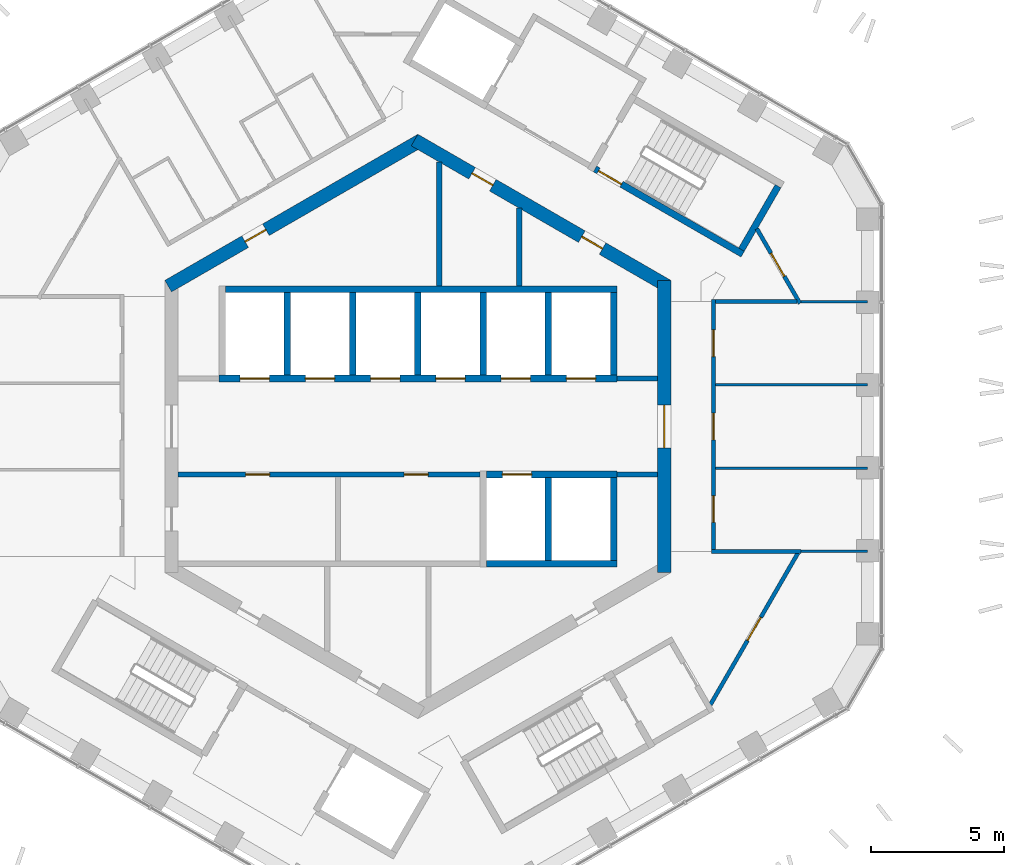
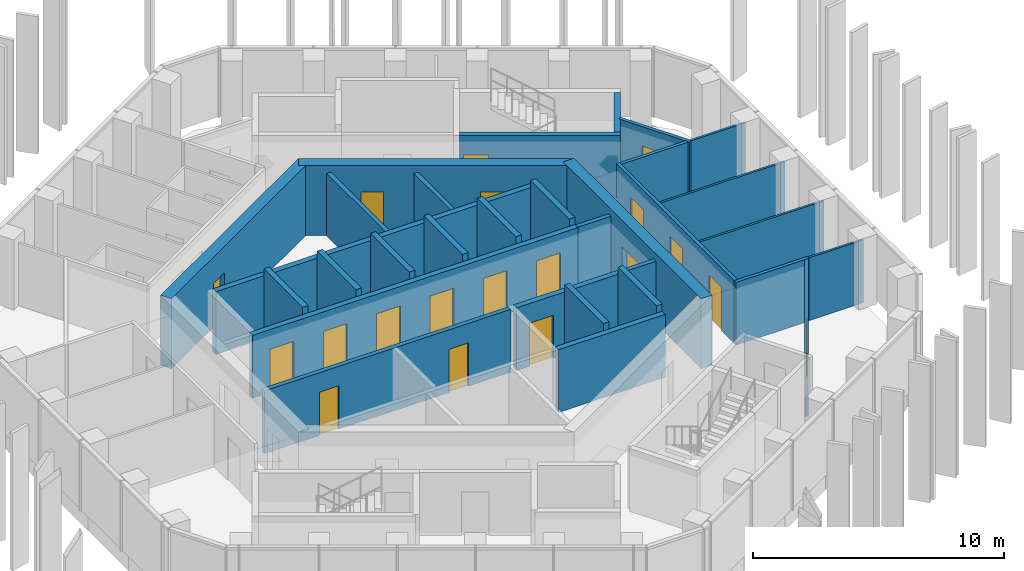
# One storey, part 13 of 18: 31 walls, 19 doors, 19 openings.
"""IFC4 building model written with IfcOpenShell, lengths in metres."""

from ifc_helpers import new_model, si_unit, direction, frame, frame_2d, origin, place, context, subcontext, project, spatial, rectangle, extrude, material, layer, layer_set, type_object, element, fill, save


model = new_model("IFC4")

# Units and contexts
model_context = context("Model", 3, precision=1e-05, world=origin(), true_north=direction((0.0, 1.0)))
body_context = subcontext(model_context, "Body", "Model", "MODEL_VIEW")
ifc_project = project(units=[si_unit("LENGTHUNIT", "METRE"), si_unit("AREAUNIT", "SQUARE_METRE"), si_unit("VOLUMEUNIT", "CUBIC_METRE"), si_unit("PLANEANGLEUNIT", "RADIAN"), si_unit("MASSUNIT", "GRAM", prefix="KILO")], contexts=[model_context])

# Site, building, storey
site_placement = place(None, origin())
site = spatial("IfcSite", under=ifc_project, at=site_placement, CompositionType="ELEMENT")
building_placement = place(site_placement, origin())
building = spatial("IfcBuilding", under=site, at=building_placement, Name="Ayvan Gate Tower", CompositionType="ELEMENT")
storey_placement = place(building_placement, frame((0.0, 0.0, 229.10009765625)))
storey = spatial("IfcBuildingStorey", under=building, at=storey_placement, Name="L61", CompositionType="ELEMENT", Elevation=229.10009765625)

# Wall, opening, door
ifc_material_1 = material(Name="Concrete C60/75", Category="concrete")
ifc_layer_1 = layer(ifc_material_1, 0.5)
ifc_layer_set_1 = layer_set([ifc_layer_1], Name="Concrete C60/75")
wall_type_1 = type_object("IfcWallType", Name="Core wall 500 C60/75", PredefinedType="SHEAR", material=ifc_layer_set_1)
wall_1_placement = place(storey_placement, frame((9.25, -5.48486328125, 0.0), z_axis=(0.0, 0.0, 1.0), x_axis=(0.0, 1.0, 0.0)))
wall_1 = element("IfcWall", 1, at=wall_1_placement, inside=storey, type_object=wall_type_1, Name="CORE-L61-0", PredefinedType="SHEAR", context=body_context, shape_type="SweptSolid", body=[
    extrude(rectangle(XDim=10.9697265625, YDim=0.5, at=frame_2d((5.48486328125, 0.0))), origin(), (0.0, 0.0, 1.0), 3.39990234375),
])
opening_1_placement = place(wall_1_placement, frame((4.684814453125, 0.0, 0.0)))
opening_1 = element("IfcOpeningElement", 2, at=opening_1_placement, cuts=wall_1, Name="Opening L61-D44", PredefinedType="OPENING", context=body_context, shape_type="SweptSolid", body=[
    extrude(rectangle(XDim=1.60009765625, YDim=2.10009765625, at=frame_2d((0.800048828125, 1.050048828125))), frame((0.0, 0.260009765625, 0.0), z_axis=(0.0, -1.0, 0.0), x_axis=(1.0, 0.0, 0.0)), (0.0, 0.0, 1.0), 0.52001953125),
])
ifc_material_2 = material(Name="Timber door leaf", Category="wood")
door_type_1 = type_object("IfcDoorType", Name="DT-1600", OperationType="NOTDEFINED", PredefinedType="DOOR", material=ifc_material_2)
door_1_placement = place(opening_1_placement, origin())
door_1 = element("IfcDoor", 3, at=door_1_placement, inside=storey, type_object=door_type_1, Name="CD-L61-44", OperationType="SINGLE_SWING_LEFT", OverallHeight=2.10009765625, OverallWidth=1.60009765625, PredefinedType="DOOR", context=body_context, shape_type="SweptSolid", body=[
    extrude(rectangle(XDim=1.60009765625, YDim=2.10009765625, at=frame_2d((0.800048828125, 1.050048828125))), frame((0.0, 0.02490234375, 0.0), z_axis=(0.0, -1.0, 0.0), x_axis=(1.0, 0.0, 0.0)), (0.0, 0.0, 1.0), 0.050048828125),
])
fill(opening_1, door_1)

# Wall, openings, doors
wall_2_placement = place(storey_placement, frame((9.375, 5.268310546875, 0.0), z_axis=(0.0, 0.0, 1.0), x_axis=(-0.866023993627, 0.500002442456, 0.0)))
wall_2 = element("IfcWall", 4, at=wall_2_placement, inside=storey, type_object=wall_type_1, Name="CORE-L61-1", PredefinedType="SHEAR", context=body_context, shape_type="SweptSolid", body=[
    extrude(rectangle(XDim=10.9697265625, YDim=0.5, at=frame_2d((5.48486328125, 0.0))), origin(), (0.0, 0.0, 1.0), 3.39990234375),
])
opening_2_placement = place(wall_2_placement, frame((7.57568359375, 0.0, 0.0)))
opening_2 = element("IfcOpeningElement", 5, at=opening_2_placement, cuts=wall_2, Name="Opening L61-D38", PredefinedType="OPENING", context=body_context, shape_type="SweptSolid", body=[
    extrude(rectangle(XDim=0.89990234375, YDim=2.10009765625, at=frame_2d((0.449951171875, 1.050048828125))), frame((0.0, 0.260009765625, 0.0), z_axis=(0.0, -1.0, 0.0), x_axis=(1.0, 0.0, 0.0)), (0.0, 0.0, 1.0), 0.52001953125),
])
opening_3_placement = place(wall_2_placement, frame((2.818359375, 0.0, 0.0)))
opening_3 = element("IfcOpeningElement", 6, at=opening_3_placement, cuts=wall_2, Name="Opening L61-D39", PredefinedType="OPENING", context=body_context, shape_type="SweptSolid", body=[
    extrude(rectangle(XDim=0.89990234375, YDim=2.10009765625, at=frame_2d((0.449951171875, 1.050048828125))), frame((0.0, 0.260009765625, 0.0), z_axis=(0.0, -1.0, 0.0), x_axis=(1.0, 0.0, 0.0)), (0.0, 0.0, 1.0), 0.52001953125),
])
door_type_2 = type_object("IfcDoorType", Name="DT-900", OperationType="NOTDEFINED", PredefinedType="DOOR", material=ifc_material_2)
door_2_placement = place(opening_2_placement, origin())
door_2 = element("IfcDoor", 7, at=door_2_placement, inside=storey, type_object=door_type_2, Name="CD-L61-38", OperationType="SINGLE_SWING_LEFT", OverallHeight=2.10009765625, OverallWidth=0.89990234375, PredefinedType="DOOR", context=body_context, shape_type="SweptSolid", body=[
    extrude(rectangle(XDim=0.89990234375, YDim=2.10009765625, at=frame_2d((0.449951171875, 1.050048828125))), frame((0.0, 0.02490234375, 0.0), z_axis=(0.0, -1.0, 0.0), x_axis=(1.0, 0.0, 0.0)), (0.0, 0.0, 1.0), 0.050048828125),
])
fill(opening_2, door_2)
door_3_placement = place(opening_3_placement, origin())
door_3 = element("IfcDoor", 8, at=door_3_placement, inside=storey, type_object=door_type_2, Name="CD-L61-39", OperationType="SINGLE_SWING_RIGHT", OverallHeight=2.10009765625, OverallWidth=0.89990234375, PredefinedType="DOOR", context=body_context, shape_type="SweptSolid", body=[
    extrude(rectangle(XDim=0.89990234375, YDim=2.10009765625, at=frame_2d((0.449951171875, 1.050048828125))), frame((0.0, 0.02490234375, 0.0), z_axis=(0.0, -1.0, 0.0), x_axis=(1.0, 0.0, 0.0)), (0.0, 0.0, 1.0), 0.050048828125),
])
fill(opening_3, door_3)

# Wall, opening, door
wall_3_placement = place(storey_placement, frame((0.125, 10.753173828125, 0.0), z_axis=(0.0, 0.0, 1.0), x_axis=(-0.866023993627, -0.500002442456, 0.0)))
wall_3 = element("IfcWall", 9, at=wall_3_placement, inside=storey, type_object=wall_type_1, Name="CORE-L61-2", PredefinedType="SHEAR", context=body_context, shape_type="SweptSolid", body=[
    extrude(rectangle(XDim=10.9697265625, YDim=0.5, at=frame_2d((5.48486328125, 0.0))), origin(), (0.0, 0.0, 1.0), 3.39990234375),
])
opening_4_placement = place(wall_3_placement, frame((6.7333984375, 0.0, 0.0)))
opening_4 = element("IfcOpeningElement", 10, at=opening_4_placement, cuts=wall_3, Name="Opening L61-D37", PredefinedType="OPENING", context=body_context, shape_type="SweptSolid", body=[
    extrude(rectangle(XDim=0.89990234375, YDim=2.10009765625, at=frame_2d((0.449951171875, 1.050048828125))), frame((0.0, 0.260009765625, 0.0), z_axis=(0.0, -1.0, 0.0), x_axis=(1.0, 0.0, 0.0)), (0.0, 0.0, 1.0), 0.52001953125),
])
door_4_placement = place(opening_4_placement, origin())
door_4 = element("IfcDoor", 11, at=door_4_placement, inside=storey, type_object=door_type_2, Name="CD-L61-37", OperationType="SINGLE_SWING_RIGHT", OverallHeight=2.10009765625, OverallWidth=0.89990234375, PredefinedType="DOOR", context=body_context, shape_type="SweptSolid", body=[
    extrude(rectangle(XDim=0.89990234375, YDim=2.10009765625, at=frame_2d((0.449951171875, 1.050048828125))), frame((0.0, 0.02490234375, 0.0), z_axis=(0.0, -1.0, 0.0), x_axis=(1.0, 0.0, 0.0)), (0.0, 0.0, 1.0), 0.050048828125),
])
fill(opening_4, door_4)

# Wall
ifc_material_3 = material(Name="Plasterboard on steel stud", Category="steel")
ifc_layer_2 = layer(ifc_material_3, 0.14990234375)
ifc_layer_set_2 = layer_set([ifc_layer_2], Name="Plasterboard on steel stud")
wall_type_2 = type_object("IfcWallType", Name="WT-CORR-150", PredefinedType="PARTITIONING", material=ifc_layer_set_2)
wall_4_placement = place(storey_placement, frame((11.02490234375, -4.6875, 0.0), z_axis=(0.0, 0.0, 1.0), x_axis=(1.0, 0.0, 0.0)))
element("IfcWall", 12, at=wall_4_placement, inside=storey, type_object=wall_type_2, Name="IW-L61-073", PredefinedType="PARTITIONING", context=body_context, shape_type="SweptSolid", body=[
    extrude(rectangle(XDim=3.356201171875, YDim=0.14990234375, at=frame_2d((1.67822265625, 0.0))), origin(), (0.0, 0.0, 1.0), 3.0498046875),
])

# Wall, openings, doors
wall_5_placement = place(storey_placement, frame((11.10009765625, -4.6123046875, 0.0), z_axis=(0.0, 0.0, 1.0), x_axis=(0.0, 1.0, 0.0)))
wall_5 = element("IfcWall", 13, at=wall_5_placement, inside=storey, type_object=wall_type_2, Name="IW-L61-075", PredefinedType="PARTITIONING", context=body_context, shape_type="SweptSolid", body=[
    extrude(rectangle(XDim=9.374755859375, YDim=0.14990234375, at=frame_2d((4.6875, 0.0))), origin(), (0.0, 0.0, 1.0), 3.0498046875),
])
opening_5_placement = place(wall_5_placement, frame((1.010009765625, 0.0, 0.0)))
opening_5 = element("IfcOpeningElement", 14, at=opening_5_placement, cuts=wall_5, Name="Opening L61-D21", PredefinedType="OPENING", context=body_context, shape_type="SweptSolid", body=[
    extrude(rectangle(XDim=1.0, YDim=2.10009765625, at=frame_2d((0.5, 1.050048828125))), frame((0.0, 0.0849609375, 0.0), z_axis=(0.0, -1.0, 0.0), x_axis=(1.0, 0.0, 0.0)), (0.0, 0.0, 1.0), 0.169921875),
])
opening_6_placement = place(wall_5_placement, frame((4.1123046875, 0.0, 0.0)))
opening_6 = element("IfcOpeningElement", 15, at=opening_6_placement, cuts=wall_5, Name="Opening L61-D22", PredefinedType="OPENING", context=body_context, shape_type="SweptSolid", body=[
    extrude(rectangle(XDim=1.0, YDim=2.10009765625, at=frame_2d((0.5, 1.050048828125))), frame((0.0, 0.0849609375, 0.0), z_axis=(0.0, -1.0, 0.0), x_axis=(1.0, 0.0, 0.0)), (0.0, 0.0, 1.0), 0.169921875),
])
opening_7_placement = place(wall_5_placement, frame((7.2373046875, 0.0, 0.0)))
opening_7 = element("IfcOpeningElement", 16, at=opening_7_placement, cuts=wall_5, Name="Opening L61-D23", PredefinedType="OPENING", context=body_context, shape_type="SweptSolid", body=[
    extrude(rectangle(XDim=1.0, YDim=2.10009765625, at=frame_2d((0.5, 1.050048828125))), frame((0.0, 0.0849609375, 0.0), z_axis=(0.0, -1.0, 0.0), x_axis=(1.0, 0.0, 0.0)), (0.0, 0.0, 1.0), 0.169921875),
])
door_type_3 = type_object("IfcDoorType", Name="DT-1000", OperationType="NOTDEFINED", PredefinedType="DOOR", material=ifc_material_2)
door_5_placement = place(opening_5_placement, origin())
door_5 = element("IfcDoor", 17, at=door_5_placement, inside=storey, type_object=door_type_3, Name="ID-L61-021", OperationType="SINGLE_SWING_RIGHT", OverallHeight=2.10009765625, OverallWidth=1.0, PredefinedType="DOOR", context=body_context, shape_type="SweptSolid", body=[
    extrude(rectangle(XDim=1.0, YDim=2.10009765625, at=frame_2d((0.5, 1.050048828125))), frame((0.0, 0.02490234375, 0.0), z_axis=(0.0, -1.0, 0.0), x_axis=(1.0, 0.0, 0.0)), (0.0, 0.0, 1.0), 0.050048828125),
])
fill(opening_5, door_5)
door_6_placement = place(opening_6_placement, origin())
door_6 = element("IfcDoor", 18, at=door_6_placement, inside=storey, type_object=door_type_3, Name="ID-L61-022", OperationType="SINGLE_SWING_LEFT", OverallHeight=2.10009765625, OverallWidth=1.0, PredefinedType="DOOR", context=body_context, shape_type="SweptSolid", body=[
    extrude(rectangle(XDim=1.0, YDim=2.10009765625, at=frame_2d((0.5, 1.050048828125))), frame((0.0, 0.02490234375, 0.0), z_axis=(0.0, -1.0, 0.0), x_axis=(1.0, 0.0, 0.0)), (0.0, 0.0, 1.0), 0.050048828125),
])
fill(opening_6, door_6)
door_7_placement = place(opening_7_placement, origin())
door_7 = element("IfcDoor", 19, at=door_7_placement, inside=storey, type_object=door_type_3, Name="ID-L61-023", OperationType="SINGLE_SWING_RIGHT", OverallHeight=2.10009765625, OverallWidth=1.0, PredefinedType="DOOR", context=body_context, shape_type="SweptSolid", body=[
    extrude(rectangle(XDim=1.0, YDim=2.10009765625, at=frame_2d((0.5, 1.050048828125))), frame((0.0, 0.02490234375, 0.0), z_axis=(0.0, -1.0, 0.0), x_axis=(1.0, 0.0, 0.0)), (0.0, 0.0, 1.0), 0.050048828125),
])
fill(opening_7, door_7)

# Wall, opening, door
wall_6_placement = place(storey_placement, frame((12.7255859375, 7.4248046875, 0.0), z_axis=(0.0, 0.0, 1.0), x_axis=(0.50000982419, -0.866019731711, 0.0)))
wall_6 = element("IfcWall", 20, at=wall_6_placement, inside=storey, type_object=wall_type_2, Name="IW-L61-078", PredefinedType="PARTITIONING", context=body_context, shape_type="SweptSolid", body=[
    extrude(rectangle(XDim=3.23583984375, YDim=0.14990234375, at=frame_2d((1.617919921875, 0.0))), origin(), (0.0, 0.0, 1.0), 3.0498046875),
])
opening_8_placement = place(wall_6_placement, frame((1.06298828125, 0.0, 0.0)))
opening_8 = element("IfcOpeningElement", 21, at=opening_8_placement, cuts=wall_6, Name="Opening L61-D24", PredefinedType="OPENING", context=body_context, shape_type="SweptSolid", body=[
    extrude(rectangle(XDim=1.0, YDim=2.10009765625, at=frame_2d((0.5, 1.050048828125))), frame((0.0, 0.0849609375, 0.0), z_axis=(0.0, -1.0, 0.0), x_axis=(1.0, 0.0, 0.0)), (0.0, 0.0, 1.0), 0.169921875),
])
door_8_placement = place(opening_8_placement, origin())
door_8 = element("IfcDoor", 22, at=door_8_placement, inside=storey, type_object=door_type_3, Name="ID-L61-024", OperationType="SINGLE_SWING_LEFT", OverallHeight=2.10009765625, OverallWidth=1.0, PredefinedType="DOOR", context=body_context, shape_type="SweptSolid", body=[
    extrude(rectangle(XDim=1.0, YDim=2.10009765625, at=frame_2d((0.5, 1.050048828125))), frame((0.0, 0.02490234375, 0.0), z_axis=(0.0, -1.0, 0.0), x_axis=(1.0, 0.0, 0.0)), (0.0, 0.0, 1.0), 0.050048828125),
])
fill(opening_8, door_8)

# Wall
wall_7_placement = place(storey_placement, frame((14.23095703125, 4.6875, 0.0), z_axis=(0.0, 0.0, 1.0), x_axis=(-1.0, 0.0, 0.0)))
element("IfcWall", 23, at=wall_7_placement, inside=storey, type_object=wall_type_2, Name="IW-L61-080", PredefinedType="PARTITIONING", context=body_context, shape_type="SweptSolid", body=[
    extrude(rectangle(XDim=3.05615234375, YDim=0.14990234375, at=frame_2d((1.528076171875, 0.0))), origin(), (0.0, 0.0, 1.0), 3.0498046875),
])

# Wall, opening, door
wall_8_placement = place(storey_placement, frame((14.2685546875, -4.75244140625, 0.0), z_axis=(0.0, 0.0, 1.0), x_axis=(-0.50001280117, -0.866018012899, 0.0)))
wall_8 = element("IfcWall", 24, at=wall_8_placement, inside=storey, type_object=wall_type_2, Name="IW-L61-082", PredefinedType="PARTITIONING", context=body_context, shape_type="SweptSolid", body=[
    extrude(rectangle(XDim=6.574951171875, YDim=0.14990234375, at=frame_2d((3.28759765625, 0.0))), origin(), (0.0, 0.0, 1.0), 3.0498046875),
])
opening_9_placement = place(wall_8_placement, frame((2.78759765625, 0.0, 0.0)))
opening_9 = element("IfcOpeningElement", 25, at=opening_9_placement, cuts=wall_8, Name="Opening L61-D30", PredefinedType="OPENING", context=body_context, shape_type="SweptSolid", body=[
    extrude(rectangle(XDim=1.0, YDim=2.10009765625, at=frame_2d((0.5, 1.050048828125))), frame((0.0, 0.0849609375, 0.0), z_axis=(0.0, -1.0, 0.0), x_axis=(1.0, 0.0, 0.0)), (0.0, 0.0, 1.0), 0.169921875),
])
door_9_placement = place(opening_9_placement, origin())
door_9 = element("IfcDoor", 26, at=door_9_placement, inside=storey, type_object=door_type_3, Name="ID-L61-030", OperationType="SINGLE_SWING_LEFT", OverallHeight=2.10009765625, OverallWidth=1.0, PredefinedType="DOOR", context=body_context, shape_type="SweptSolid", body=[
    extrude(rectangle(XDim=1.0, YDim=2.10009765625, at=frame_2d((0.5, 1.050048828125))), frame((0.0, 0.02490234375, 0.0), z_axis=(0.0, -1.0, 0.0), x_axis=(1.0, 0.0, 0.0)), (0.0, 0.0, 1.0), 0.050048828125),
])
fill(opening_9, door_9)

# Walls
ifc_layer_3 = layer(ifc_material_3, 0.10009765625)
ifc_layer_set_3 = layer_set([ifc_layer_3], Name="Plasterboard on steel stud")
wall_type_3 = type_object("IfcWallType", Name="WT-PART-100", PredefinedType="PARTITIONING", material=ifc_layer_set_3)
for number, where, z_axis, x_axis, name in (
    (27, (11.175048828125, -1.5625, 0.0), (0.0, 0.0, 1.0), (1.0, 0.0, 0.0), "IW-L61-074"),
    (28, (11.175048828125, 1.5625, 0.0), (0.0, 0.0, 1.0), (1.0, 0.0, 0.0), "IW-L61-076"),
):
    element("IfcWall", number, at=place(storey_placement, frame(where, z_axis=z_axis, x_axis=x_axis)), inside=storey, type_object=wall_type_3, Name=name, PredefinedType="PARTITIONING", context=body_context, shape_type="SweptSolid", body=[
        extrude(rectangle(XDim=5.71240234375, YDim=0.10009765625, at=frame_2d((2.856201171875, 0.0))), origin(), (0.0, 0.0, 1.0), 3.0498046875),
    ])
wall_9_placement = place(storey_placement, frame((14.381103515625, 4.6875, 0.0), z_axis=(0.0, 0.0, 1.0), x_axis=(1.0, 0.0, 0.0)))
element("IfcWall", 29, at=wall_9_placement, inside=storey, type_object=wall_type_3, Name="IW-L61-081", PredefinedType="PARTITIONING", context=body_context, shape_type="SweptSolid", body=[
    extrude(rectangle(XDim=2.50634765625, YDim=0.10009765625, at=frame_2d((1.253173828125, 0.0))), origin(), (0.0, 0.0, 1.0), 3.0498046875),
])
wall_10_placement = place(storey_placement, frame((16.887451171875, -4.6875, 0.0), z_axis=(0.0, 0.0, 1.0), x_axis=(-1.0, 0.0, 0.0)))
element("IfcWall", 30, at=wall_10_placement, inside=storey, type_object=wall_type_3, Name="IW-L61-083", PredefinedType="PARTITIONING", context=body_context, shape_type="SweptSolid", body=[
    extrude(rectangle(XDim=2.506591796875, YDim=0.10009765625, at=frame_2d((1.25341796875, 0.0))), origin(), (0.0, 0.0, 1.0), 3.0498046875),
])

# Wall, openings, doors
ifc_layer_4 = layer(ifc_material_3, 0.199951171875)
ifc_layer_set_4 = layer_set([ifc_layer_4], Name="Plasterboard on steel stud")
wall_type_4 = type_object("IfcWallType", Name="WT-RATED-200", PredefinedType="PARTITIONING", material=ifc_layer_set_4)
wall_11_placement = place(storey_placement, frame((-9.0, -1.800048828125, 0.0), z_axis=(0.0, 0.0, 1.0), x_axis=(1.0, 0.0, 0.0)))
wall_11 = element("IfcWall", 31, at=wall_11_placement, inside=storey, type_object=wall_type_4, Name="IW-L61-031", PredefinedType="PARTITIONING", context=body_context, shape_type="SweptSolid", body=[
    extrude(rectangle(XDim=11.3251953125, YDim=0.199951171875, at=frame_2d((5.66259765625, 0.0))), origin(), (0.0, 0.0, 1.0), 3.0498046875),
])
opening_10_placement = place(wall_11_placement, frame((2.534912109375, 0.0, 0.0)))
opening_10 = element("IfcOpeningElement", 32, at=opening_10_placement, cuts=wall_11, Name="Opening L61-D08", PredefinedType="OPENING", context=body_context, shape_type="SweptSolid", body=[
    extrude(rectangle(XDim=0.89990234375, YDim=2.10009765625, at=frame_2d((0.449951171875, 1.050048828125))), frame((0.0, 0.10986328125, 0.0), z_axis=(0.0, -1.0, 0.0), x_axis=(1.0, 0.0, 0.0)), (0.0, 0.0, 1.0), 0.219970703125),
])
opening_11_placement = place(wall_11_placement, frame((8.487548828125, 0.0, 0.0)))
opening_11 = element("IfcOpeningElement", 33, at=opening_11_placement, cuts=wall_11, Name="Opening L61-D09", PredefinedType="OPENING", context=body_context, shape_type="SweptSolid", body=[
    extrude(rectangle(XDim=0.89990234375, YDim=2.10009765625, at=frame_2d((0.449951171875, 1.050048828125))), frame((0.0, 0.10986328125, 0.0), z_axis=(0.0, -1.0, 0.0), x_axis=(1.0, 0.0, 0.0)), (0.0, 0.0, 1.0), 0.219970703125),
])
door_10_placement = place(opening_10_placement, origin())
door_10 = element("IfcDoor", 34, at=door_10_placement, inside=storey, type_object=door_type_2, Name="ID-L61-008", OperationType="SINGLE_SWING_LEFT", OverallHeight=2.10009765625, OverallWidth=0.89990234375, PredefinedType="DOOR", context=body_context, shape_type="SweptSolid", body=[
    extrude(rectangle(XDim=0.89990234375, YDim=2.10009765625, at=frame_2d((0.449951171875, 1.050048828125))), frame((0.0, 0.02490234375, 0.0), z_axis=(0.0, -1.0, 0.0), x_axis=(1.0, 0.0, 0.0)), (0.0, 0.0, 1.0), 0.050048828125),
])
fill(opening_10, door_10)
door_11_placement = place(opening_11_placement, origin())
door_11 = element("IfcDoor", 35, at=door_11_placement, inside=storey, type_object=door_type_2, Name="ID-L61-009", OperationType="SINGLE_SWING_RIGHT", OverallHeight=2.10009765625, OverallWidth=0.89990234375, PredefinedType="DOOR", context=body_context, shape_type="SweptSolid", body=[
    extrude(rectangle(XDim=0.89990234375, YDim=2.10009765625, at=frame_2d((0.449951171875, 1.050048828125))), frame((0.0, 0.02490234375, 0.0), z_axis=(0.0, -1.0, 0.0), x_axis=(1.0, 0.0, 0.0)), (0.0, 0.0, 1.0), 0.050048828125),
])
fill(opening_11, door_11)

# Walls
wall_12_placement = place(storey_placement, frame((0.800048828125, 9.930419921875, 0.0), z_axis=(0.0, 0.0, 1.0), x_axis=(0.0, -1.0, 0.0)))
element("IfcWall", 36, at=wall_12_placement, inside=storey, type_object=wall_type_4, Name="IW-L61-043", PredefinedType="PARTITIONING", context=body_context, shape_type="SweptSolid", body=[
    extrude(rectangle(XDim=4.655517578125, YDim=0.199951171875, at=frame_2d((2.32763671875, 0.0))), origin(), (0.0, 0.0, 1.0), 3.0498046875),
])
wall_13_placement = place(storey_placement, frame((3.800048828125, 8.198486328125, 0.0), z_axis=(0.0, 0.0, 1.0), x_axis=(0.0, -1.0, 0.0)))
element("IfcWall", 37, at=wall_13_placement, inside=storey, type_object=wall_type_4, Name="IW-L61-051", PredefinedType="PARTITIONING", context=body_context, shape_type="SweptSolid", body=[
    extrude(rectangle(XDim=2.923583984375, YDim=0.199951171875, at=frame_2d((1.4619140625, 0.0))), origin(), (0.0, 0.0, 1.0), 3.0498046875),
])
for number, where, z_axis, x_axis, name in (
    (38, (7.474853515625, 1.800048828125, 0.0), (0.0, 0.0, 1.0), (1.0, 0.0, 0.0), "IW-L61-063"),
    (39, (9.0, -1.800048828125, 0.0), (0.0, 0.0, 1.0), (-1.0, 0.0, 0.0), "IW-L61-070"),
):
    element("IfcWall", number, at=place(storey_placement, frame(where, z_axis=z_axis, x_axis=x_axis)), inside=storey, type_object=wall_type_4, Name=name, PredefinedType="PARTITIONING", context=body_context, shape_type="SweptSolid", body=[
        extrude(rectangle(XDim=1.525146484375, YDim=0.199951171875, at=frame_2d((0.7626953125, 0.0))), origin(), (0.0, 0.0, 1.0), 3.0498046875),
    ])

# Wall, openings, doors
ifc_material_4 = material(Name="Concrete C50/60", Category="concrete")
ifc_layer_5 = layer(ifc_material_4, 0.25)
ifc_layer_set_5 = layer_set([ifc_layer_5], Name="Concrete C50/60")
wall_type_5 = type_object("IfcWallType", Name="WT-RC-250", PredefinedType="SHEAR", material=ifc_layer_set_5)
wall_14_placement = place(storey_placement, frame((-7.47509765625, 1.800048828125, 0.0), z_axis=(0.0, 0.0, 1.0), x_axis=(1.0, 0.0, 0.0)))
wall_14 = element("IfcWall", 40, at=wall_14_placement, inside=storey, type_object=wall_type_5, Name="IW-L61-016", PredefinedType="SHEAR", context=body_context, shape_type="SweptSolid", body=[
    extrude(rectangle(XDim=14.9501953125, YDim=0.25, at=frame_2d((7.47509765625, 0.0))), origin(), (0.0, 0.0, 1.0), 3.0498046875),
])
opening_12_placement = place(wall_14_placement, frame((0.800048828125, 0.0, 0.0)))
opening_12 = element("IfcOpeningElement", 41, at=opening_12_placement, cuts=wall_14, Name="Opening L61-LD-HR1", PredefinedType="OPENING", context=body_context, shape_type="SweptSolid", body=[
    extrude(rectangle(XDim=1.10009765625, YDim=2.10009765625, at=frame_2d((0.550048828125, 1.050048828125))), frame((0.0, 0.135009765625, 0.0), z_axis=(0.0, -1.0, 0.0), x_axis=(1.0, 0.0, 0.0)), (0.0, 0.0, 1.0), 0.27001953125),
])
opening_13_placement = place(wall_14_placement, frame((3.25, 0.0, 0.0)))
opening_13 = element("IfcOpeningElement", 42, at=opening_13_placement, cuts=wall_14, Name="Opening L61-LD-HR2", PredefinedType="OPENING", context=body_context, shape_type="SweptSolid", body=[
    extrude(rectangle(XDim=1.10009765625, YDim=2.10009765625, at=frame_2d((0.550048828125, 1.050048828125))), frame((0.0, 0.135009765625, 0.0), z_axis=(0.0, -1.0, 0.0), x_axis=(1.0, 0.0, 0.0)), (0.0, 0.0, 1.0), 0.27001953125),
])
opening_14_placement = place(wall_14_placement, frame((5.7001953125, 0.0, 0.0)))
opening_14 = element("IfcOpeningElement", 43, at=opening_14_placement, cuts=wall_14, Name="Opening L61-LD-HR3", PredefinedType="OPENING", context=body_context, shape_type="SweptSolid", body=[
    extrude(rectangle(XDim=1.10009765625, YDim=2.10009765625, at=frame_2d((0.550048828125, 1.050048828125))), frame((0.0, 0.135009765625, 0.0), z_axis=(0.0, -1.0, 0.0), x_axis=(1.0, 0.0, 0.0)), (0.0, 0.0, 1.0), 0.27001953125),
])
opening_15_placement = place(wall_14_placement, frame((8.150146484375, 0.0, 0.0)))
opening_15 = element("IfcOpeningElement", 44, at=opening_15_placement, cuts=wall_14, Name="Opening L61-LD-HR4", PredefinedType="OPENING", context=body_context, shape_type="SweptSolid", body=[
    extrude(rectangle(XDim=1.10009765625, YDim=2.10009765625, at=frame_2d((0.550048828125, 1.050048828125))), frame((0.0, 0.135009765625, 0.0), z_axis=(0.0, -1.0, 0.0), x_axis=(1.0, 0.0, 0.0)), (0.0, 0.0, 1.0), 0.27001953125),
])
opening_16_placement = place(wall_14_placement, frame((10.60009765625, 0.0, 0.0)))
opening_16 = element("IfcOpeningElement", 45, at=opening_16_placement, cuts=wall_14, Name="Opening L61-LD-HR5", PredefinedType="OPENING", context=body_context, shape_type="SweptSolid", body=[
    extrude(rectangle(XDim=1.10009765625, YDim=2.10009765625, at=frame_2d((0.550048828125, 1.050048828125))), frame((0.0, 0.135009765625, 0.0), z_axis=(0.0, -1.0, 0.0), x_axis=(1.0, 0.0, 0.0)), (0.0, 0.0, 1.0), 0.27001953125),
])
opening_17_placement = place(wall_14_placement, frame((13.050048828125, 0.0, 0.0)))
opening_17 = element("IfcOpeningElement", 46, at=opening_17_placement, cuts=wall_14, Name="Opening L61-LD-HR6", PredefinedType="OPENING", context=body_context, shape_type="SweptSolid", body=[
    extrude(rectangle(XDim=1.10009765625, YDim=2.10009765625, at=frame_2d((0.550048828125, 1.050048828125))), frame((0.0, 0.135009765625, 0.0), z_axis=(0.0, -1.0, 0.0), x_axis=(1.0, 0.0, 0.0)), (0.0, 0.0, 1.0), 0.27001953125),
])
ifc_material_5 = material(Name="Stainless steel landing door", Category="steel")
door_type_4 = type_object("IfcDoorType", Name="DT-LANDING-1100", OperationType="SLIDING_TO_LEFT", PredefinedType="DOOR", material=ifc_material_5)
door_12_placement = place(opening_12_placement, origin())
door_12 = element("IfcDoor", 47, at=door_12_placement, inside=storey, type_object=door_type_4, Name="ID-L61-001", OperationType="SLIDING_TO_LEFT", OverallHeight=2.10009765625, OverallWidth=1.10009765625, PredefinedType="DOOR", context=body_context, shape_type="SweptSolid", body=[
    extrude(rectangle(XDim=1.10009765625, YDim=2.10009765625, at=frame_2d((0.550048828125, 1.050048828125))), frame((0.0, 0.02490234375, 0.0), z_axis=(0.0, -1.0, 0.0), x_axis=(1.0, 0.0, 0.0)), (0.0, 0.0, 1.0), 0.050048828125),
])
fill(opening_12, door_12)
door_13_placement = place(opening_13_placement, origin())
door_13 = element("IfcDoor", 48, at=door_13_placement, inside=storey, type_object=door_type_4, Name="ID-L61-002", OperationType="SLIDING_TO_LEFT", OverallHeight=2.10009765625, OverallWidth=1.10009765625, PredefinedType="DOOR", context=body_context, shape_type="SweptSolid", body=[
    extrude(rectangle(XDim=1.10009765625, YDim=2.10009765625, at=frame_2d((0.550048828125, 1.050048828125))), frame((0.0, 0.02490234375, 0.0), z_axis=(0.0, -1.0, 0.0), x_axis=(1.0, 0.0, 0.0)), (0.0, 0.0, 1.0), 0.050048828125),
])
fill(opening_13, door_13)
door_14_placement = place(opening_14_placement, origin())
door_14 = element("IfcDoor", 49, at=door_14_placement, inside=storey, type_object=door_type_4, Name="ID-L61-003", OperationType="SLIDING_TO_LEFT", OverallHeight=2.10009765625, OverallWidth=1.10009765625, PredefinedType="DOOR", context=body_context, shape_type="SweptSolid", body=[
    extrude(rectangle(XDim=1.10009765625, YDim=2.10009765625, at=frame_2d((0.550048828125, 1.050048828125))), frame((0.0, 0.02490234375, 0.0), z_axis=(0.0, -1.0, 0.0), x_axis=(1.0, 0.0, 0.0)), (0.0, 0.0, 1.0), 0.050048828125),
])
fill(opening_14, door_14)
door_15_placement = place(opening_15_placement, origin())
door_15 = element("IfcDoor", 50, at=door_15_placement, inside=storey, type_object=door_type_4, Name="ID-L61-004", OperationType="SLIDING_TO_LEFT", OverallHeight=2.10009765625, OverallWidth=1.10009765625, PredefinedType="DOOR", context=body_context, shape_type="SweptSolid", body=[
    extrude(rectangle(XDim=1.10009765625, YDim=2.10009765625, at=frame_2d((0.550048828125, 1.050048828125))), frame((0.0, 0.02490234375, 0.0), z_axis=(0.0, -1.0, 0.0), x_axis=(1.0, 0.0, 0.0)), (0.0, 0.0, 1.0), 0.050048828125),
])
fill(opening_15, door_15)
door_16_placement = place(opening_16_placement, origin())
door_16 = element("IfcDoor", 51, at=door_16_placement, inside=storey, type_object=door_type_4, Name="ID-L61-005", OperationType="SLIDING_TO_LEFT", OverallHeight=2.10009765625, OverallWidth=1.10009765625, PredefinedType="DOOR", context=body_context, shape_type="SweptSolid", body=[
    extrude(rectangle(XDim=1.10009765625, YDim=2.10009765625, at=frame_2d((0.550048828125, 1.050048828125))), frame((0.0, 0.02490234375, 0.0), z_axis=(0.0, -1.0, 0.0), x_axis=(1.0, 0.0, 0.0)), (0.0, 0.0, 1.0), 0.050048828125),
])
fill(opening_16, door_16)
door_17_placement = place(opening_17_placement, origin())
door_17 = element("IfcDoor", 52, at=door_17_placement, inside=storey, type_object=door_type_4, Name="ID-L61-006", OperationType="SLIDING_TO_LEFT", OverallHeight=2.10009765625, OverallWidth=1.10009765625, PredefinedType="DOOR", context=body_context, shape_type="SweptSolid", body=[
    extrude(rectangle(XDim=1.10009765625, YDim=2.10009765625, at=frame_2d((0.550048828125, 1.050048828125))), frame((0.0, 0.02490234375, 0.0), z_axis=(0.0, -1.0, 0.0), x_axis=(1.0, 0.0, 0.0)), (0.0, 0.0, 1.0), 0.050048828125),
])
fill(opening_17, door_17)

# Walls
wall_15_placement = place(storey_placement, frame((-7.22509765625, 5.14990234375, 0.0), z_axis=(0.0, 0.0, 1.0), x_axis=(1.0, 0.0, 0.0)))
element("IfcWall", 53, at=wall_15_placement, inside=storey, type_object=wall_type_5, Name="IW-L61-018", PredefinedType="SHEAR", context=body_context, shape_type="SweptSolid", body=[
    extrude(rectangle(XDim=14.7001953125, YDim=0.25, at=frame_2d((7.35009765625, 0.0))), origin(), (0.0, 0.0, 1.0), 3.0498046875),
])
for number, where, z_axis, x_axis, name in (
    (54, (-4.89990234375, 5.02490234375, 0.0), (0.0, 0.0, 1.0), (0.0, -1.0, 0.0), "IW-L61-024"),
    (55, (-2.449951171875, 5.02490234375, 0.0), (0.0, 0.0, 1.0), (0.0, -1.0, 0.0), "IW-L61-035"),
    (56, (0.0, 5.02490234375, 0.0), (0.0, 0.0, 1.0), (0.0, -1.0, 0.0), "IW-L61-040"),
    (57, (2.449951171875, 5.02490234375, 0.0), (0.0, 0.0, 1.0), (0.0, -1.0, 0.0), "IW-L61-047"),
):
    element("IfcWall", number, at=place(storey_placement, frame(where, z_axis=z_axis, x_axis=x_axis)), inside=storey, type_object=wall_type_5, Name=name, PredefinedType="SHEAR", context=body_context, shape_type="SweptSolid", body=[
        extrude(rectangle(XDim=3.099853515625, YDim=0.25, at=frame_2d((1.5498046875, 0.0))), origin(), (0.0, 0.0, 1.0), 3.39990234375),
    ])
wall_16_placement = place(storey_placement, frame((2.574951171875, -5.14990234375, 0.0), z_axis=(0.0, 0.0, 1.0), x_axis=(1.0, 0.0, 0.0)))
element("IfcWall", 58, at=wall_16_placement, inside=storey, type_object=wall_type_5, Name="IW-L61-054", PredefinedType="SHEAR", context=body_context, shape_type="SweptSolid", body=[
    extrude(rectangle(XDim=4.900146484375, YDim=0.25, at=frame_2d((2.4501953125, 0.0))), origin(), (0.0, 0.0, 1.0), 3.0498046875),
])
for number, where, z_axis, x_axis, name in (
    (59, (4.89990234375, -1.925048828125, 0.0), (0.0, 0.0, 1.0), (0.0, -1.0, 0.0), "IW-L61-055"),
    (60, (4.89990234375, 5.02490234375, 0.0), (0.0, 0.0, 1.0), (0.0, -1.0, 0.0), "IW-L61-056"),
):
    element("IfcWall", number, at=place(storey_placement, frame(where, z_axis=z_axis, x_axis=x_axis)), inside=storey, type_object=wall_type_5, Name=name, PredefinedType="SHEAR", context=body_context, shape_type="SweptSolid", body=[
        extrude(rectangle(XDim=3.099853515625, YDim=0.25, at=frame_2d((1.5498046875, 0.0))), origin(), (0.0, 0.0, 1.0), 3.39990234375),
    ])

# Wall, opening, door
wall_17_placement = place(storey_placement, frame((2.574951171875, -1.800048828125, 0.0), z_axis=(0.0, 0.0, 1.0), x_axis=(1.0, 0.0, 0.0)))
wall_17 = element("IfcWall", 61, at=wall_17_placement, inside=storey, type_object=wall_type_5, Name="IW-L61-057", PredefinedType="SHEAR", context=body_context, shape_type="SweptSolid", body=[
    extrude(rectangle(XDim=4.900146484375, YDim=0.25, at=frame_2d((2.4501953125, 0.0))), origin(), (0.0, 0.0, 1.0), 3.0498046875),
])
opening_18_placement = place(wall_17_placement, frame((0.597412109375, 0.0, 0.0)))
opening_18 = element("IfcOpeningElement", 62, at=opening_18_placement, cuts=wall_17, Name="Opening L61-LD-SV", PredefinedType="OPENING", context=body_context, shape_type="SweptSolid", body=[
    extrude(rectangle(XDim=1.10009765625, YDim=2.10009765625, at=frame_2d((0.550048828125, 1.050048828125))), frame((0.0, 0.135009765625, 0.0), z_axis=(0.0, -1.0, 0.0), x_axis=(1.0, 0.0, 0.0)), (0.0, 0.0, 1.0), 0.27001953125),
])
door_18_placement = place(opening_18_placement, origin())
door_18 = element("IfcDoor", 63, at=door_18_placement, inside=storey, type_object=door_type_4, Name="ID-L61-007", OperationType="SLIDING_TO_LEFT", OverallHeight=2.10009765625, OverallWidth=1.10009765625, PredefinedType="DOOR", context=body_context, shape_type="SweptSolid", body=[
    extrude(rectangle(XDim=1.10009765625, YDim=2.10009765625, at=frame_2d((0.550048828125, 1.050048828125))), frame((0.0, 0.02490234375, 0.0), z_axis=(0.0, -1.0, 0.0), x_axis=(1.0, 0.0, 0.0)), (0.0, 0.0, 1.0), 0.050048828125),
])
fill(opening_18, door_18)

# Walls
for number, where, z_axis, x_axis, name in (
    (64, (7.35009765625, -1.925048828125, 0.0), (0.0, 0.0, 1.0), (0.0, -1.0, 0.0), "IW-L61-064"),
    (65, (7.35009765625, 5.02490234375, 0.0), (0.0, 0.0, 1.0), (0.0, -1.0, 0.0), "IW-L61-065"),
):
    element("IfcWall", number, at=place(storey_placement, frame(where, z_axis=z_axis, x_axis=x_axis)), inside=storey, type_object=wall_type_5, Name=name, PredefinedType="SHEAR", context=body_context, shape_type="SweptSolid", body=[
        extrude(rectangle(XDim=3.099853515625, YDim=0.25, at=frame_2d((1.5498046875, 0.0))), origin(), (0.0, 0.0, 1.0), 3.39990234375),
    ])

# Wall, opening, door
wall_18_placement = place(storey_placement, frame((12.193603515625, 6.469970703125, 0.0), z_axis=(0.0, 0.0, 1.0), x_axis=(-0.866025499775, 0.499999833739, 0.0)))
wall_18 = element("IfcWall", 66, at=wall_18_placement, inside=storey, type_object=wall_type_5, Name="IW-L61-077", PredefinedType="SHEAR", context=body_context, shape_type="SweptSolid", body=[
    extrude(rectangle(XDim=6.39990234375, YDim=0.25, at=frame_2d((3.199951171875, 0.0))), origin(), (0.0, 0.0, 1.0), 3.0498046875),
])
opening_19_placement = place(wall_18_placement, frame((5.25, 0.0, 0.0)))
opening_19 = element("IfcOpeningElement", 67, at=opening_19_placement, cuts=wall_18, Name="Opening L61-D10", PredefinedType="OPENING", context=body_context, shape_type="SweptSolid", body=[
    extrude(rectangle(XDim=1.0, YDim=2.10009765625, at=frame_2d((0.5, 1.050048828125))), frame((0.0, 0.135009765625, 0.0), z_axis=(0.0, -1.0, 0.0), x_axis=(1.0, 0.0, 0.0)), (0.0, 0.0, 1.0), 0.27001953125),
])
door_19_placement = place(opening_19_placement, origin())
door_19 = element("IfcDoor", 68, at=door_19_placement, inside=storey, type_object=door_type_3, Name="ID-L61-010", OperationType="SINGLE_SWING_LEFT", OverallHeight=2.10009765625, OverallWidth=1.0, PredefinedType="DOOR", context=body_context, shape_type="SweptSolid", body=[
    extrude(rectangle(XDim=1.0, YDim=2.10009765625, at=frame_2d((0.5, 1.050048828125))), frame((0.0, 0.02490234375, 0.0), z_axis=(0.0, -1.0, 0.0), x_axis=(1.0, 0.0, 0.0)), (0.0, 0.0, 1.0), 0.050048828125),
])
fill(opening_19, door_19)

# Wall
wall_19_placement = place(storey_placement, frame((12.14794921875, 6.640869140625, 0.0), z_axis=(0.0, 0.0, 1.0), x_axis=(0.500034990121, 0.866005201286, 0.0)))
element("IfcWall", 69, at=wall_19_placement, inside=storey, type_object=wall_type_5, Name="IW-L61-079", PredefinedType="SHEAR", context=body_context, shape_type="SweptSolid", body=[
    extrude(rectangle(XDim=2.749755859375, YDim=0.25, at=frame_2d((1.375, 0.0))), origin(), (0.0, 0.0, 1.0), 3.0498046875),
])

save(model, "model.ifc")
